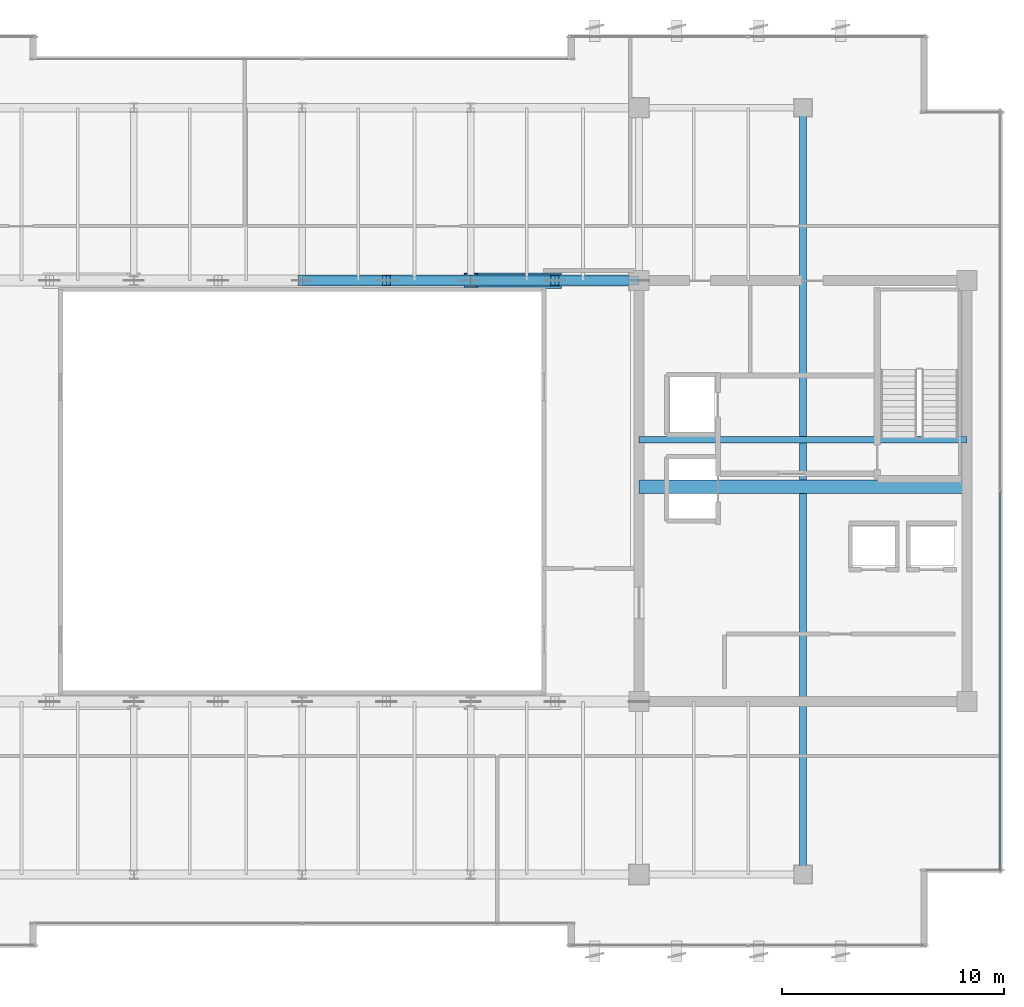
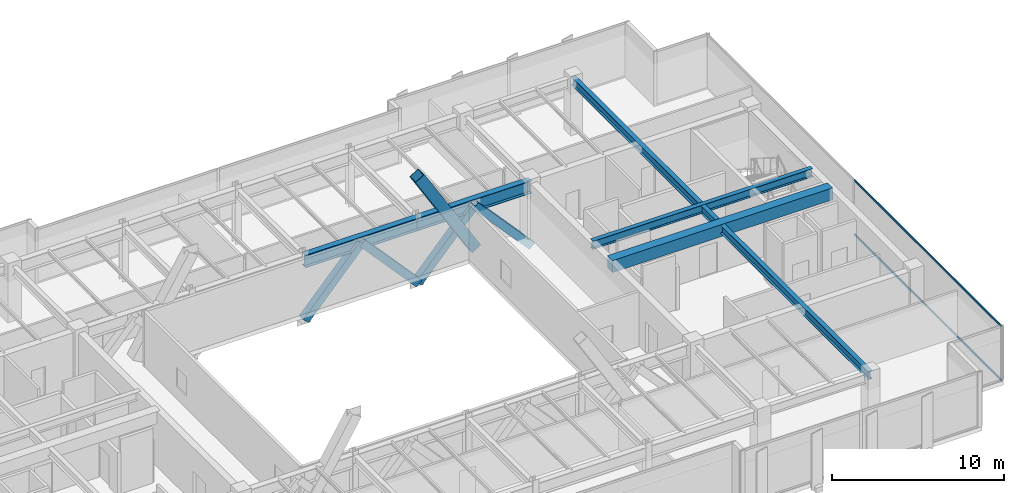
# One storey, part 15 of 32: 7 members, 5 beams, 1 element without a shape of its own.
"""IFC4 building model written with IfcOpenShell, lengths in metres."""

from ifc_helpers import new_model, si_unit, direction, frame, origin, origin_2d, place, context, subcontext, project, spatial, rectangle, hollow_rectangle, i_section, extrude, source, transform, mapped, material, layer, layer_set, material_profile, profile_set, type_object, type_shapes, element, aggregate, save


model = new_model("IFC4")

# Units and contexts
model_context = context("Model", 3, precision=1e-05, world=origin(), true_north=direction((0.0, 1.0)))
body_context = subcontext(model_context, "Body", "Model", "MODEL_VIEW")
ifc_project = project(units=[si_unit("LENGTHUNIT", "METRE"), si_unit("AREAUNIT", "SQUARE_METRE"), si_unit("VOLUMEUNIT", "CUBIC_METRE"), si_unit("PLANEANGLEUNIT", "RADIAN"), si_unit("MASSUNIT", "GRAM", prefix="KILO")], contexts=[model_context])

# Site, building, storey
site_placement = place(None, origin())
site = spatial("IfcSite", under=ifc_project, at=site_placement, CompositionType="ELEMENT")
building_placement = place(site_placement, origin())
building = spatial("IfcBuilding", under=site, at=building_placement, Name="Haelvirn Gate Laboratories", CompositionType="ELEMENT")
storey_placement = place(building_placement, frame((0.0, 0.0, 306.0)))
storey = spatial("IfcBuildingStorey", under=building, at=storey_placement, Name="L73", CompositionType="ELEMENT", Elevation=306.0)

# Beams
ifc_material_1 = material(Name="Steel SM355", Category="steel")
ifc_material_profile_1 = material_profile(ifc_material_1, i_section(OverallWidth=0.300048828125, OverallDepth=0.587890625, WebThickness=0.011962890625, FlangeThickness=0.02001953125, at=origin_2d()), Name="H-588x300x12x20")
ifc_profile_set_1 = profile_set([ifc_material_profile_1], Name="Steel SM355")
beam_type_1 = type_object("IfcBeamType", Name="BM-G-588", PredefinedType="BEAM", material=ifc_profile_set_1)
shared_shape_1 = source(origin(), body_context, "Body", "SweptSolid", [
    extrude(i_section(OverallWidth=0.300048828125, OverallDepth=0.587890625, WebThickness=0.011962890625, FlangeThickness=0.02001953125, at=origin_2d()), origin(), (0.0, 0.0, 1.0), 14.7998046875),
])
beam_1_placement = place(storey_placement, frame((52.60009765625, 26.6201171875, 3.60595703125), z_axis=(1.0, 0.0, 0.0), x_axis=(0.0, 1.0, 0.0)))
element("IfcBeam", 1, at=beam_1_placement, inside=storey, type_object=beam_type_1, Name="L73 Stair ST2 Landing Header", PredefinedType="BEAM", context=body_context, shape_type="MappedRepresentation", body=[
    mapped(shared_shape_1, transform((0.0, 0.0, 0.0), scale=1.0)),
])
ifc_material_2 = material(Name="Steel SM420", Category="steel")
ifc_material_profile_2 = material_profile(ifc_material_2, i_section(OverallWidth=0.39990234375, OverallDepth=0.89990234375, WebThickness=0.01904296875, FlangeThickness=0.031982421875, at=origin_2d()), Name="H-900x400x19x32")
ifc_profile_set_2 = profile_set([ifc_material_profile_2], Name="Steel SM420")
beam_type_2 = type_object("IfcBeamType", Name="BM-TG-900", PredefinedType="BEAM", material=ifc_profile_set_2)
shared_shape_2 = source(origin(), body_context, "Body", "SweptSolid", [
    extrude(i_section(OverallWidth=0.39990234375, OverallDepth=0.89990234375, WebThickness=0.01904296875, FlangeThickness=0.031982421875, at=origin_2d()), origin(), (0.0, 0.0, 1.0), 7.60009765625),
])
type_shapes(beam_type_2, [shared_shape_2])
for number, where, z_axis, x_axis, name in (
    (2, (37.39990234375, 33.800048828125, 3.449951171875), (1.0, 0.0, 0.0), (0.0, 1.0, 0.0), "L73 Primary Girder Y33.8 (37.4-45.0)"),
    (3, (45.0, 33.800048828125, 3.449951171875), (1.0, 0.0, 0.0), (0.0, 1.0, 0.0), "L73 Primary Girder Y33.8 (45.0-52.6)"),
):
    element("IfcBeam", number, at=place(storey_placement, frame(where, z_axis=z_axis, x_axis=x_axis)), inside=storey, type_object=beam_type_2, Name=name, PredefinedType="BEAM", context=body_context, shape_type="MappedRepresentation", body=[
        mapped(shared_shape_2, transform((0.0, 0.0, 0.0), scale=1.0)),
    ])
shared_shape_3 = source(origin(), body_context, "Body", "SweptSolid", [
    extrude(i_section(OverallWidth=0.300048828125, OverallDepth=0.587890625, WebThickness=0.011962890625, FlangeThickness=0.02001953125, at=origin_2d()), origin(), (0.0, 0.0, 1.0), 34.60009765625),
])
type_shapes(beam_type_1, [shared_shape_1, shared_shape_3])
beam_2_placement = place(storey_placement, frame((60.0, 7.0, 3.60595703125), z_axis=(0.0, 1.0, 0.0), x_axis=(-1.0, 0.0, 0.0)))
element("IfcBeam", 4, at=beam_2_placement, inside=storey, type_object=beam_type_1, Name="L73 Frame Girder X60.0 (7.0-41.6)", PredefinedType="BEAM", context=body_context, shape_type="MappedRepresentation", body=[
    mapped(shared_shape_3, transform((0.0, 0.0, 0.0), scale=1.0)),
])
ifc_material_3 = material(Name="Concrete C50/60", Category="concrete")
ifc_material_profile_3 = material_profile(ifc_material_3, rectangle(XDim=0.60009765625, YDim=0.85009765625, at=origin_2d()), Name="RCB-600x850")
ifc_profile_set_3 = profile_set([ifc_material_profile_3], Name="Concrete C50/60")
beam_type_3 = type_object("IfcBeamType", Name="BM-RCB-850", PredefinedType="LINTEL", material=ifc_profile_set_3)
shared_shape_4 = source(origin(), body_context, "Body", "SweptSolid", [
    extrude(rectangle(XDim=0.60009765625, YDim=0.85009765625, at=origin_2d()), origin(), (0.0, 0.0, 1.0), 14.7998046875),
])
type_shapes(beam_type_3, [shared_shape_4])
beam_3_placement = place(storey_placement, frame((52.60009765625, 24.5, 3.47509765625), z_axis=(1.0, 0.0, 0.0), x_axis=(0.0, 1.0, 0.0)))
element("IfcBeam", 5, at=beam_3_placement, inside=storey, type_object=beam_type_3, Name="L73 East Core Coupling Beam", PredefinedType="LINTEL", context=body_context, shape_type="MappedRepresentation", body=[
    mapped(shared_shape_4, transform((0.0, 0.0, 0.0), scale=1.0)),
])

# Members
ifc_material_profile_4 = material_profile(ifc_material_2, hollow_rectangle(XDim=0.699951171875, YDim=0.699951171875, WallThickness=0.031982421875, at=origin_2d()), Name="BOX-700x700x32")
ifc_profile_set_4 = profile_set([ifc_material_profile_4], Name="Steel SM420")
member_type_1 = type_object("IfcMemberType", Name="MEM-ARCH-RIB", PredefinedType="CHORD", material=ifc_profile_set_4)
shared_shape_5 = source(origin(), body_context, "Body", "SweptSolid", [
    extrude(hollow_rectangle(XDim=0.699951171875, YDim=0.699951171875, WallThickness=0.031982421875, at=origin_2d()), origin(), (0.0, 0.0, 1.0), 7.38134765625),
])
type_shapes(member_type_1, [shared_shape_5])
member_1_placement = place(storey_placement, frame((45.0, 33.800048828125, 6.78759765625), z_axis=(0.51481187824, 0.0, -0.857303172759), x_axis=(0.0, 1.0, 0.0)))
element("IfcMember", 6, at=member_1_placement, inside=storey, type_object=member_type_1, Name="Parabolic Steel Arch Rib Y33.8 Seg 7", PredefinedType="CHORD", context=body_context, shape_type="MappedRepresentation", body=[
    mapped(shared_shape_5, transform((0.0, 0.0, 0.0), scale=1.0)),
])
ifc_material_profile_5 = material_profile(ifc_material_2, hollow_rectangle(XDim=0.5, YDim=0.5, WallThickness=0.02197265625, at=origin_2d()), Name="BOX-500x500x22")
ifc_profile_set_5 = profile_set([ifc_material_profile_5], Name="Steel SM420")
member_type_2 = type_object("IfcMemberType", Name="MEM-ARCH-WEB", PredefinedType="BRACE", material=ifc_profile_set_5)
shared_shape_6 = source(origin(), body_context, "Body", "SweptSolid", [
    extrude(hollow_rectangle(XDim=0.5, YDim=0.5, WallThickness=0.02197265625, at=origin_2d()), origin(), (0.0, 0.0, 1.0), 5.663818359375),
])
type_shapes(member_type_2, [shared_shape_6])
for number, where, z_axis, x_axis, name in (
    (7, (37.39990234375, 33.800048828125, -0.75), (0.670922353302, 0.0, 0.741527609628), (0.0, 1.0, 0.0), "L73 Arch Truss Chevron Web Y33.8-3A"),
    (8, (41.199951171875, 33.800048828125, 3.449951171875), (0.670922353302, 0.0, -0.741527609628), (0.0, 1.0, 0.0), "L73 Arch Truss Chevron Web Y33.8-3B"),
    (9, (45.0, 33.800048828125, -0.75), (0.670922353302, 0.0, 0.741527609628), (0.0, 1.0, 0.0), "L73 Arch Truss Chevron Web Y33.8-4A"),
    (10, (48.800048828125, 33.800048828125, 3.449951171875), (0.670922353302, 0.0, -0.741527609628), (0.0, 1.0, 0.0), "L73 Arch Truss Chevron Web Y33.8-4B"),
):
    element("IfcMember", number, at=place(storey_placement, frame(where, z_axis=z_axis, x_axis=x_axis)), inside=storey, type_object=member_type_2, Name=name, PredefinedType="BRACE", context=body_context, shape_type="MappedRepresentation", body=[
        mapped(shared_shape_6, transform((0.0, 0.0, 0.0), scale=1.0)),
    ])

# Curtain wall, members
ifc_material_4 = material(Name="Anodised bronze unitised aluminium & triple low-E glass", Category="aluminium")
ifc_layer = layer(ifc_material_4, 0.176025390625, Name="CW-SYS-4")
ifc_layer_set = layer_set([ifc_layer], Name="Anodised bronze unitised aluminium & triple low-E glass")
curtain_wall_type = type_object("IfcCurtainWallType", Name="CW-SYS-4", PredefinedType="NOTDEFINED", material=ifc_layer_set)
curtain_wall_placement = place(storey_placement, origin())
curtain_wall = element("IfcCurtainWall", 11, at=curtain_wall_placement, inside=storey, type_object=curtain_wall_type, Name="L73 Unitised Curtain Wall CW-L73-P0-E07", PredefinedType="NOTDEFINED")
ifc_material_5 = material(Name="Extruded aluminium 6063-T6 (anodised bronze)", Category="aluminium")
ifc_material_profile_6 = material_profile(ifc_material_5, hollow_rectangle(XDim=0.06494140625, YDim=0.139892578125, WallThickness=0.00390625, at=origin_2d()), Name="CWT-140x65x4")
ifc_profile_set_6 = profile_set([ifc_material_profile_6], Name="Extruded aluminium 6063-T6 (anodised bronze)")
member_type_3 = type_object("IfcMemberType", Name="CWT-T140", PredefinedType="USERDEFINED", material=ifc_profile_set_6)
shared_shape_7 = source(origin(), body_context, "Body", "SweptSolid", [
    extrude(hollow_rectangle(XDim=0.06494140625, YDim=0.139892578125, WallThickness=0.00390625, at=origin_2d()), origin(), (0.0, 0.0, 1.0), 17.094970703125),
])
type_shapes(member_type_3, [shared_shape_7])
member_2_placement = place(storey_placement, frame((68.89990234375, 7.169921875, 0.032470703125), z_axis=(0.0, 1.0, 0.0), x_axis=(-1.0, 0.0, 0.0)))
member_2 = element("IfcMember", 12, at=member_2_placement, type_object=member_type_3, Name="CW4 transom 1.1", ObjectType="TRANSOM", PredefinedType="USERDEFINED", context=body_context, shape_type="MappedRepresentation", body=[
    mapped(shared_shape_7, transform((0.0, 0.0, 0.0), scale=1.0)),
])
member_3_placement = place(storey_placement, frame((68.89990234375, 7.169921875, 3.867431640625), z_axis=(0.0, 1.0, 0.0), x_axis=(-1.0, 0.0, 0.0)))
member_3 = element("IfcMember", 13, at=member_3_placement, type_object=member_type_3, Name="CW4 transom 1.2", ObjectType="TRANSOM", PredefinedType="USERDEFINED", context=body_context, shape_type="MappedRepresentation", body=[
    mapped(shared_shape_7, transform((0.0, 0.0, 0.0), scale=1.0)),
])
aggregate(curtain_wall, [member_2, member_3])

save(model, "model.ifc")
